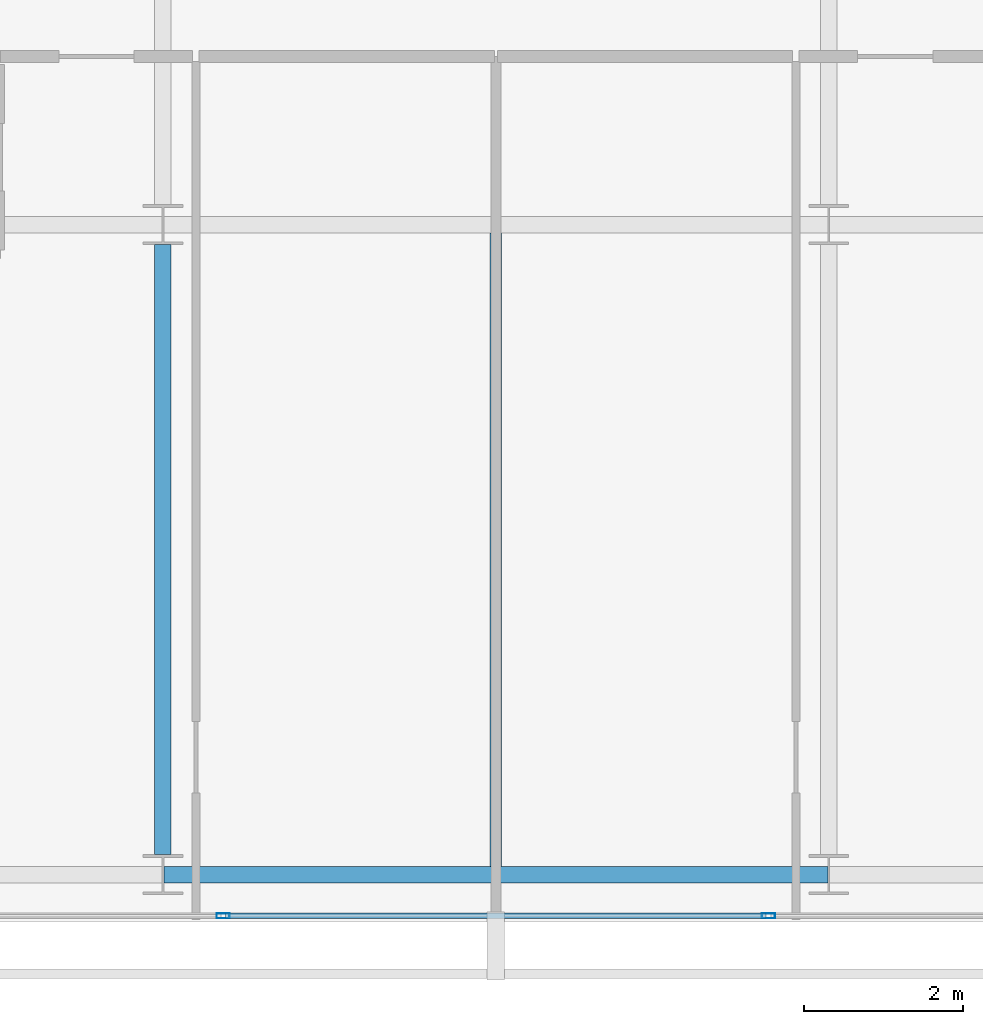
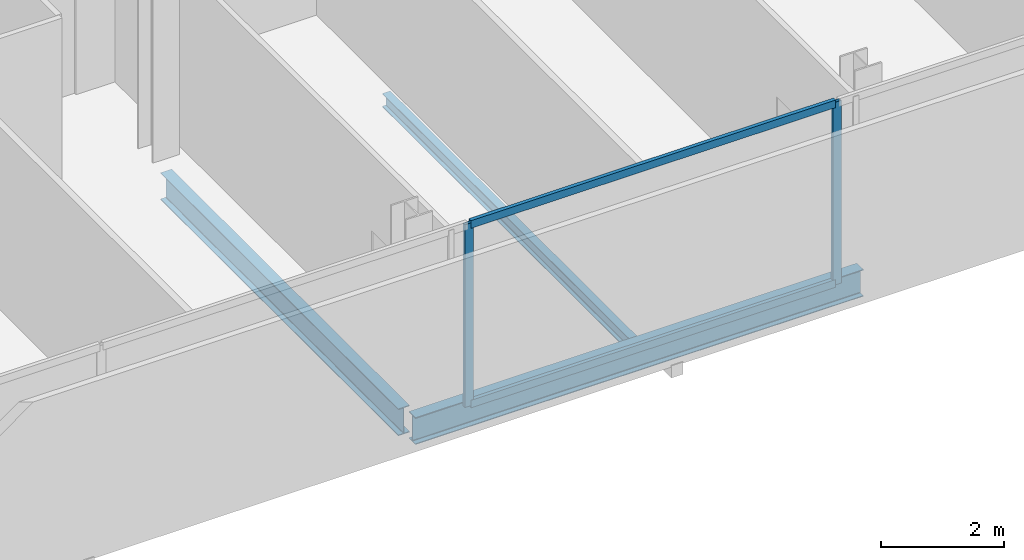
# One storey, part 6 of 25: 4 members, 3 beams, 1 element without a shape of its own.
"""IFC4 building model written with IfcOpenShell, lengths in metres."""

from ifc_helpers import new_model, si_unit, direction, frame, origin, origin_2d, place, context, subcontext, project, spatial, hollow_rectangle, i_section, extrude, material, layer, layer_set, material_profile, profile_set, type_object, element, aggregate, save


model = new_model("IFC4")

# Units and contexts
model_context = context("Model", 3, precision=1e-05, world=origin(), true_north=direction((0.0, 1.0)))
body_context = subcontext(model_context, "Body", "Model", "MODEL_VIEW")
ifc_project = project(units=[si_unit("LENGTHUNIT", "METRE"), si_unit("AREAUNIT", "SQUARE_METRE"), si_unit("VOLUMEUNIT", "CUBIC_METRE"), si_unit("PLANEANGLEUNIT", "RADIAN"), si_unit("MASSUNIT", "GRAM", prefix="KILO")], contexts=[model_context])

# Site, building, storey
site_placement = place(None, origin())
site = spatial("IfcSite", under=ifc_project, at=site_placement, CompositionType="ELEMENT")
building_placement = place(site_placement, origin())
building = spatial("IfcBuilding", under=site, at=building_placement, Name="Maruvema Waterfront Hotel and Observation Tower", CompositionType="ELEMENT")
storey_placement = place(building_placement, frame((0.0, 0.0, 250.949951171875)))
storey = spatial("IfcBuildingStorey", under=building, at=storey_placement, Name="L61", CompositionType="ELEMENT", Elevation=250.949951171875)

# Curtain wall, members
ifc_material_1 = material(Name="Anodised bronze aluminium and solar-control low-E IGU", Category="aluminium")
ifc_layer = layer(ifc_material_1, 0.159912109375, Name="Zone 3 Champagne Inner Thermal Curtain Wall System CW-04")
ifc_layer_set = layer_set([ifc_layer], Name="Anodised bronze aluminium and solar-control low-E IGU")
curtain_wall_type = type_object("IfcCurtainWallType", Name="Zone 3 Champagne Inner Thermal Curtain Wall System CW-04", PredefinedType="USERDEFINED", material=ifc_layer_set)
curtain_wall_placement = place(storey_placement, origin())
curtain_wall = element("IfcCurtainWall", 1, at=curtain_wall_placement, inside=storey, type_object=curtain_wall_type, Name="L61 Curtain Wall CW-L61-S", ObjectType="UNITISED CURTAIN WALL", PredefinedType="USERDEFINED")
ifc_material_2 = material(Name="Anodised architectural bronze aluminium", Category="aluminium")
ifc_material_profile_1 = material_profile(ifc_material_2, hollow_rectangle(XDim=0.070068359375, YDim=0.14990234375, WallThickness=0.00390625, at=origin_2d()), Name="ALU-T70x150")
ifc_profile_set_1 = profile_set([ifc_material_profile_1], Name="Anodised architectural bronze aluminium")
member_type_1 = type_object("IfcMemberType", Name="Curtain Wall Horizontal Transom ALU-T70x150", PredefinedType="USERDEFINED", material=ifc_profile_set_1)
member_1_placement = place(storey_placement, frame((34.389892578125, 9.280029296875, 0.030029296875), z_axis=(1.0, 0.0, 0.0), x_axis=(0.0, 1.0, 0.0)))
member_1 = element("IfcMember", 2, at=member_1_placement, type_object=member_type_1, Name="CW-04 transom 3.1", ObjectType="TRANSOM", PredefinedType="USERDEFINED", context=body_context, shape_type="SweptSolid", body=[
    extrude(hollow_rectangle(XDim=0.070068359375, YDim=0.14990234375, WallThickness=0.00390625, at=origin_2d()), origin(), (0.0, 0.0, 1.0), 6.820068359375),
])
member_2_placement = place(storey_placement, frame((34.389892578125, 9.280029296875, 3.580078125), z_axis=(1.0, 0.0, 0.0), x_axis=(0.0, 1.0, 0.0)))
member_2 = element("IfcMember", 3, at=member_2_placement, type_object=member_type_1, Name="CW-04 transom 3.2", ObjectType="TRANSOM", PredefinedType="USERDEFINED", context=body_context, shape_type="SweptSolid", body=[
    extrude(hollow_rectangle(XDim=0.070068359375, YDim=0.14990234375, WallThickness=0.00390625, at=origin_2d()), origin(), (0.0, 0.0, 1.0), 6.820068359375),
])
ifc_material_3 = material(Name="Anodised architectural bronze aluminium", Category="aluminium")
ifc_material_profile_2 = material_profile(ifc_material_3, hollow_rectangle(XDim=0.06494140625, YDim=0.1650390625, WallThickness=0.00390625, at=origin_2d()), Name="ALU-M65x165")
ifc_profile_set_2 = profile_set([ifc_material_profile_2], Name="Anodised architectural bronze aluminium")
member_type_2 = type_object("IfcMemberType", Name="Curtain Wall Primary Mullion ALU-M65x165", PredefinedType="MULLION", material=ifc_profile_set_2)
member_3_placement = place(storey_placement, frame((34.360107421875, 9.280029296875, 0.0), z_axis=(0.0, 0.0, 1.0), x_axis=(0.0, 1.0, 0.0)))
member_3 = element("IfcMember", 4, at=member_3_placement, type_object=member_type_2, Name="CW-04 mullion 3", PredefinedType="MULLION", context=body_context, shape_type="SweptSolid", body=[
    extrude(hollow_rectangle(XDim=0.06494140625, YDim=0.1650390625, WallThickness=0.00390625, at=origin_2d()), origin(), (0.0, 0.0, 1.0), 3.610107421875),
])
member_4_placement = place(storey_placement, frame((41.239990234375, 9.280029296875, 0.0), z_axis=(0.0, 0.0, 1.0), x_axis=(0.0, 1.0, 0.0)))
member_4 = element("IfcMember", 5, at=member_4_placement, type_object=member_type_2, Name="CW-04 mullion 4", PredefinedType="MULLION", context=body_context, shape_type="SweptSolid", body=[
    extrude(hollow_rectangle(XDim=0.06494140625, YDim=0.1650390625, WallThickness=0.00390625, at=origin_2d()), origin(), (0.0, 0.0, 1.0), 3.610107421875),
])
aggregate(curtain_wall, [member_3, member_4, member_1, member_2])

# Beams
ifc_material_4 = material(Name="Steel ASTM A572 Grade 50", Category="steel")
ifc_material_profile_3 = material_profile(ifc_material_4, i_section(OverallWidth=0.208984375, OverallDepth=0.532958984375, WebThickness=0.01025390625, FlangeThickness=0.015625, FilletRadius=0.014892578125, at=origin_2d()), Name="W530x92.0")
ifc_profile_set_3 = profile_set([ifc_material_profile_3], Name="Steel ASTM A572 Grade 50")
beam_type_1 = type_object("IfcBeamType", Name="Primary Floor Girder W530x92.0", PredefinedType="BEAM", material=ifc_profile_set_3)
beam_1_placement = place(storey_placement, frame((33.611083984375, 9.800048828125, -0.50634765625), z_axis=(1.0, 0.0, 0.0), x_axis=(0.0, 1.0, 0.0)))
element("IfcBeam", 6, at=beam_1_placement, inside=storey, type_object=beam_type_1, Name="L61 Floor Girder EW-02", PredefinedType="BEAM", context=body_context, shape_type="SweptSolid", body=[
    extrude(i_section(OverallWidth=0.208984375, OverallDepth=0.532958984375, WebThickness=0.01025390625, FlangeThickness=0.015625, FilletRadius=0.014892578125, at=origin_2d()), origin(), (0.0, 0.0, 1.0), 8.3779296875),
])
beam_2_placement = place(storey_placement, frame((33.60009765625, 10.050048828125, -0.50634765625), z_axis=(0.0, 1.0, 0.0), x_axis=(-1.0, 0.0, 0.0)))
element("IfcBeam", 7, at=beam_2_placement, inside=storey, type_object=beam_type_1, Name="L61 Floor Girder NS-08", PredefinedType="BEAM", context=body_context, shape_type="SweptSolid", body=[
    extrude(i_section(OverallWidth=0.208984375, OverallDepth=0.532958984375, WebThickness=0.01025390625, FlangeThickness=0.015625, FilletRadius=0.014892578125, at=origin_2d()), origin(), (0.0, 0.0, 1.0), 7.699951171875),
])
ifc_material_5 = material(Name="Steel ASTM A572 Grade 50", Category="steel")
ifc_material_profile_4 = material_profile(ifc_material_5, i_section(OverallWidth=0.14794921875, OverallDepth=0.26611328125, WebThickness=0.007568359375, FlangeThickness=0.012939453125, FilletRadius=0.012939453125, at=origin_2d()), Name="W250x44.8")
ifc_profile_set_4 = profile_set([ifc_material_profile_4], Name="Steel ASTM A572 Grade 50")
beam_type_2 = type_object("IfcBeamType", Name="Secondary Floor Joist W250x44.8", PredefinedType="JOIST", material=ifc_profile_set_4)
beam_3_placement = place(storey_placement, frame((37.800048828125, 9.904541015625, -0.373046875), z_axis=(0.0, 1.0, 0.0), x_axis=(-1.0, 0.0, 0.0)))
element("IfcBeam", 8, at=beam_3_placement, inside=storey, type_object=beam_type_2, Name="L61 Secondary Floor Joist JS-05", PredefinedType="JOIST", context=body_context, shape_type="SweptSolid", body=[
    extrude(i_section(OverallWidth=0.14794921875, OverallDepth=0.26611328125, WebThickness=0.007568359375, FlangeThickness=0.012939453125, FilletRadius=0.012939453125, at=origin_2d()), origin(), (0.0, 0.0, 1.0), 7.990966796875),
])

save(model, "model.ifc")
